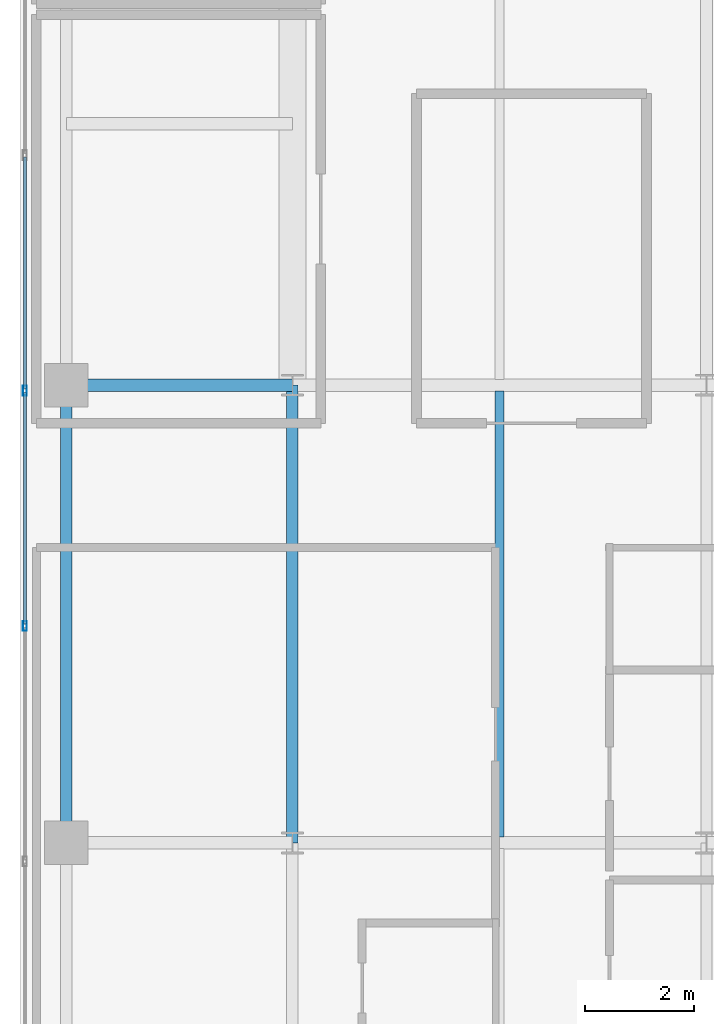
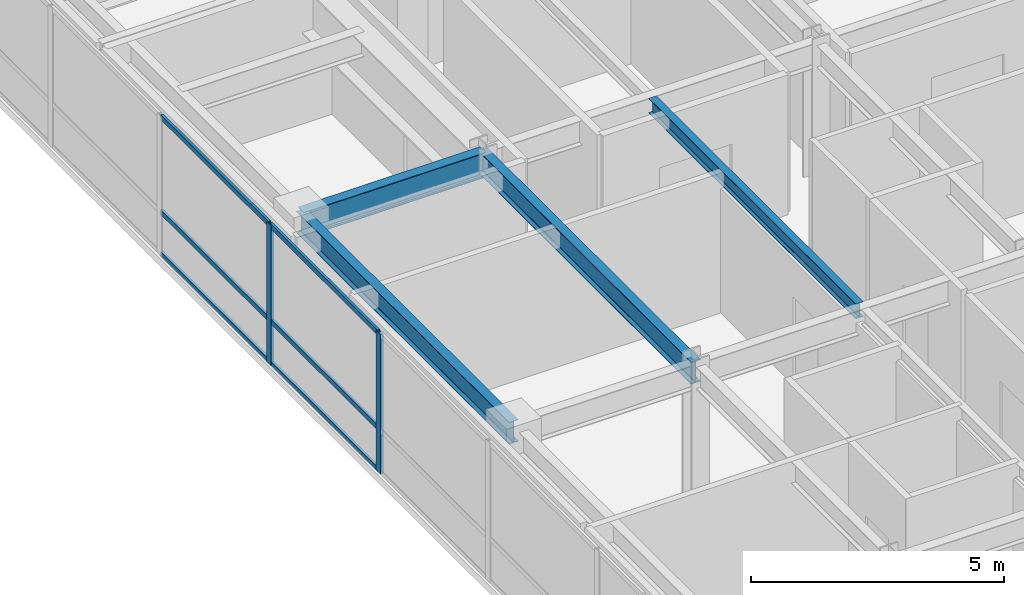
# One storey, part 9 of 28: 8 members, 4 beams, 1 element without a shape of its own.
"""IFC4 building model written with IfcOpenShell, lengths in metres."""

from ifc_helpers import new_model, si_unit, direction, frame, origin, origin_2d, place, context, subcontext, project, spatial, hollow_rectangle, i_section, extrude, source, transform, mapped, material, layer, layer_set, material_profile, profile_set, type_object, type_shapes, element, aggregate, save


model = new_model("IFC4")

# Units and contexts
model_context = context("Model", 3, precision=1e-05, world=origin(), true_north=direction((0.0, 1.0)))
body_context = subcontext(model_context, "Body", "Model", "MODEL_VIEW")
ifc_project = project(units=[si_unit("LENGTHUNIT", "METRE"), si_unit("AREAUNIT", "SQUARE_METRE"), si_unit("VOLUMEUNIT", "CUBIC_METRE"), si_unit("PLANEANGLEUNIT", "RADIAN"), si_unit("MASSUNIT", "GRAM", prefix="KILO")], contexts=[model_context])

# Site, building, storey
site_placement = place(None, origin())
site = spatial("IfcSite", under=ifc_project, at=site_placement, CompositionType="ELEMENT")
building_placement = place(site_placement, origin())
building = spatial("IfcBuilding", under=site, at=building_placement, Name="Tolvann Quenvar Hotel", CompositionType="ELEMENT")
storey_placement = place(building_placement, frame((0.0, 0.0, 198.199951171875)))
storey = spatial("IfcBuildingStorey", under=building, at=storey_placement, Name="L52", CompositionType="ELEMENT", Elevation=198.199951171875)

# Beams
ifc_material_1 = material(Name="Steel Grade 350", Category="steel")
ifc_material_profile_1 = material_profile(ifc_material_1, i_section(OverallWidth=0.208984375, OverallDepth=0.528076171875, WebThickness=0.009521484375, FlangeThickness=0.01318359375, FilletRadius=0.013916015625, at=origin_2d()), Name="530UB82")
ifc_profile_set_1 = profile_set([ifc_material_profile_1], Name="Steel Grade 350")
beam_type_1 = type_object("IfcBeamType", Name="BM_SPAND_530UB82", PredefinedType="SPANDREL", material=ifc_profile_set_1)
shared_shape_1 = source(origin(), body_context, "Body", "SweptSolid", [
    extrude(i_section(OverallWidth=0.208984375, OverallDepth=0.528076171875, WebThickness=0.009521484375, FlangeThickness=0.01318359375, FilletRadius=0.013916015625, at=origin_2d()), origin(), (0.0, 0.0, 1.0), 8.39990234375),
])
type_shapes(beam_type_1, [shared_shape_1])
beam_1_placement = place(storey_placement, frame((3.449951171875, 16.0, 3.10595703125), z_axis=(0.0, 1.0, 0.0), x_axis=(-1.0, 0.0, 0.0)))
element("IfcBeam", 1, at=beam_1_placement, inside=storey, type_object=beam_type_1, Name="BM-L52-NS-B4-B5", PredefinedType="SPANDREL", context=body_context, shape_type="MappedRepresentation", body=[
    mapped(shared_shape_1, transform((0.0, 0.0, 0.0), x_axis=(1.0, 0.0, 0.0), y_axis=(0.0, 1.0, 0.0), z_axis=(0.0, 0.0, 1.0), scale=1.0)),
])
ifc_material_profile_2 = material_profile(ifc_material_1, i_section(OverallWidth=0.208984375, OverallDepth=0.532958984375, WebThickness=0.01025390625, FlangeThickness=0.015625, FilletRadius=0.013916015625, at=origin_2d()), Name="530UB92")
ifc_profile_set_2 = profile_set([ifc_material_profile_2], Name="Steel Grade 350")
beam_type_2 = type_object("IfcBeamType", Name="BM_GIRD_530UB92", PredefinedType="BEAM", material=ifc_profile_set_2)
shared_shape_2 = source(origin(), body_context, "Body", "SweptSolid", [
    extrude(i_section(OverallWidth=0.208984375, OverallDepth=0.532958984375, WebThickness=0.01025390625, FlangeThickness=0.015625, FilletRadius=0.013916015625, at=origin_2d()), origin(), (0.0, 0.0, 1.0), 8.39990234375),
])
type_shapes(beam_type_2, [shared_shape_2])
beam_2_placement = place(storey_placement, frame((7.60009765625, 16.0, 3.103515625), z_axis=(0.0, 1.0, 0.0), x_axis=(-1.0, 0.0, 0.0)))
element("IfcBeam", 2, at=beam_2_placement, inside=storey, type_object=beam_type_2, Name="BM-L52-NS-C4-C5", PredefinedType="BEAM", context=body_context, shape_type="MappedRepresentation", body=[
    mapped(shared_shape_2, transform((0.0, 0.0, 0.0), x_axis=(1.0, 0.0, 0.0), y_axis=(0.0, 1.0, 0.0), z_axis=(0.0, 0.0, 1.0), scale=1.0)),
])
ifc_material_profile_3 = material_profile(ifc_material_1, i_section(OverallWidth=0.22802734375, OverallDepth=0.60205078125, WebThickness=0.010498046875, FlangeThickness=0.014892578125, FilletRadius=0.013916015625, at=origin_2d()), Name="610UB101")
ifc_profile_set_3 = profile_set([ifc_material_profile_3], Name="Steel Grade 350")
beam_type_3 = type_object("IfcBeamType", Name="BM_GIRD_610UB101", PredefinedType="BEAM", material=ifc_profile_set_3)
shared_shape_3 = source(origin(), body_context, "Body", "SweptSolid", [
    extrude(i_section(OverallWidth=0.22802734375, OverallDepth=0.60205078125, WebThickness=0.010498046875, FlangeThickness=0.014892578125, FilletRadius=0.013916015625, at=origin_2d()), origin(), (0.0, 0.0, 1.0), 4.150146484375),
])
type_shapes(beam_type_3, [shared_shape_3])
beam_3_placement = place(storey_placement, frame((3.449951171875, 24.39990234375, 3.069091796875), z_axis=(1.0, 0.0, 0.0), x_axis=(0.0, 1.0, 0.0)))
element("IfcBeam", 3, at=beam_3_placement, inside=storey, type_object=beam_type_3, Name="BM-L52-EW-5-B5-C5", PredefinedType="BEAM", context=body_context, shape_type="MappedRepresentation", body=[
    mapped(shared_shape_3, transform((0.0, 0.0, 0.0), x_axis=(1.0, 0.0, 0.0), y_axis=(0.0, 1.0, 0.0), z_axis=(0.0, 0.0, 1.0), scale=1.0)),
])
ifc_material_profile_4 = material_profile(ifc_material_1, i_section(OverallWidth=0.172119140625, OverallDepth=0.35888671875, WebThickness=0.008056640625, FlangeThickness=0.012939453125, FilletRadius=0.011474609375, at=origin_2d()), Name="360UB57")
ifc_profile_set_4 = profile_set([ifc_material_profile_4], Name="Steel Grade 350")
beam_type_4 = type_object("IfcBeamType", Name="BM_JOIST_360UB57", PredefinedType="JOIST", material=ifc_profile_set_4)
shared_shape_4 = source(origin(), body_context, "Body", "SweptSolid", [
    extrude(i_section(OverallWidth=0.172119140625, OverallDepth=0.35888671875, WebThickness=0.008056640625, FlangeThickness=0.012939453125, FilletRadius=0.011474609375, at=origin_2d()), origin(), (0.0, 0.0, 1.0), 8.18408203125),
])
type_shapes(beam_type_4, [shared_shape_4])
beam_4_placement = place(storey_placement, frame((11.39990234375, 16.10791015625, 3.1904296875), z_axis=(0.0, 1.0, 0.0), x_axis=(-1.0, 0.0, 0.0)))
element("IfcBeam", 4, at=beam_4_placement, inside=storey, type_object=beam_type_4, Name="BJ-L52-114-160", PredefinedType="JOIST", context=body_context, shape_type="MappedRepresentation", body=[
    mapped(shared_shape_4, transform((0.0, 0.0, 0.0), x_axis=(1.0, 0.0, 0.0), y_axis=(0.0, 1.0, 0.0), z_axis=(0.0, 0.0, 1.0), scale=1.0)),
])

# Curtain wall, members
ifc_material_2 = material(Name="Thermally broken anodised architectural aluminium 6063-T6 and laminated low-E glass", Category="aluminium")
ifc_layer = layer(ifc_material_2, 0.179931640625)
ifc_layer_set = layer_set([ifc_layer], Name="Thermally broken anodised architectural aluminium 6063-T6 and laminated low-E glass")
curtain_wall_type = type_object("IfcCurtainWallType", Name="CW_SYS_BAND_04", PredefinedType="USERDEFINED", material=ifc_layer_set)
curtain_wall_placement = place(storey_placement, origin())
curtain_wall = element("IfcCurtainWall", 5, at=curtain_wall_placement, inside=storey, type_object=curtain_wall_type, Name="Curtain Wall CW-BAND-04 (CWR-L52-E23)", ObjectType="UNITISED CURTAIN WALL", PredefinedType="USERDEFINED")
ifc_material_3 = material(Name="Anodised architectural aluminium 6063-T6 framing", Category="aluminium")
ifc_material_profile_5 = material_profile(ifc_material_3, hollow_rectangle(XDim=0.070068359375, YDim=0.179931640625, WallThickness=0.00390625, at=origin_2d()), Name="180x70x4RHS")
ifc_profile_set_5 = profile_set([ifc_material_profile_5], Name="Anodised architectural aluminium 6063-T6 framing")
member_type_1 = type_object("IfcMemberType", Name="CW_MULL_180x70", PredefinedType="MULLION", material=ifc_profile_set_5)
shared_shape_5 = source(origin(), body_context, "Body", "SweptSolid", [
    extrude(hollow_rectangle(XDim=0.070068359375, YDim=0.179931640625, WallThickness=0.00390625, at=origin_2d()), origin(), (0.0, 0.0, 1.0), 3.3701171875),
])
type_shapes(member_type_1, [shared_shape_5])
member_1_placement = place(storey_placement, frame((2.68994140625, 24.300048828125, 0.0), z_axis=(0.0, 0.0, 1.0), x_axis=(1.0, 0.0, 0.0)))
member_1 = element("IfcMember", 6, at=member_1_placement, type_object=member_type_1, Name="CW-BAND-04 mullion 5", PredefinedType="MULLION", context=body_context, shape_type="MappedRepresentation", body=[
    mapped(shared_shape_5, transform((0.0, 0.0, 0.0), x_axis=(1.0, 0.0, 0.0), y_axis=(0.0, 1.0, 0.0), z_axis=(0.0, 0.0, 1.0), scale=1.0)),
])
member_2_placement = place(storey_placement, frame((2.68994140625, 19.979248046875, 0.0), z_axis=(0.0, 0.0, 1.0), x_axis=(1.0, 0.0, 0.0)))
member_2 = element("IfcMember", 7, at=member_2_placement, type_object=member_type_1, Name="CW-BAND-04 mullion 6", PredefinedType="MULLION", context=body_context, shape_type="MappedRepresentation", body=[
    mapped(shared_shape_5, transform((0.0, 0.0, 0.0), x_axis=(1.0, 0.0, 0.0), y_axis=(0.0, 1.0, 0.0), z_axis=(0.0, 0.0, 1.0), scale=1.0)),
])
ifc_material_profile_6 = material_profile(ifc_material_3, hollow_rectangle(XDim=0.06005859375, YDim=0.1201171875, WallThickness=0.00341796875, at=origin_2d()), Name="120x60x3.5RHS")
ifc_profile_set_6 = profile_set([ifc_material_profile_6], Name="Anodised architectural aluminium 6063-T6 framing")
member_type_2 = type_object("IfcMemberType", Name="CW_TRAN_120x60", PredefinedType="USERDEFINED", material=ifc_profile_set_6)
shared_shape_6 = source(origin(), body_context, "Body", "SweptSolid", [
    extrude(hollow_rectangle(XDim=0.06005859375, YDim=0.1201171875, WallThickness=0.00341796875, at=origin_2d()), origin(), (0.0, 0.0, 1.0), 4.250732421875),
])
member_3_placement = place(storey_placement, frame((2.68994140625, 28.585693359375, 0.030029296875), z_axis=(0.0, -1.0, 0.0), x_axis=(1.0, 0.0, 0.0)))
member_3 = element("IfcMember", 8, at=member_3_placement, type_object=member_type_2, Name="CW-BAND-04 transom 4.1", ObjectType="TRANSOM", PredefinedType="USERDEFINED", context=body_context, shape_type="MappedRepresentation", body=[
    mapped(shared_shape_6, transform((0.0, 0.0, 0.0), x_axis=(1.0, 0.0, 0.0), y_axis=(0.0, 1.0, 0.0), z_axis=(0.0, 0.0, 1.0), scale=1.0)),
])
member_4_placement = place(storey_placement, frame((2.68994140625, 28.585693359375, 1.050048828125), z_axis=(0.0, -1.0, 0.0), x_axis=(1.0, 0.0, 0.0)))
member_4 = element("IfcMember", 9, at=member_4_placement, type_object=member_type_2, Name="CW-BAND-04 transom 4.2", ObjectType="TRANSOM", PredefinedType="USERDEFINED", context=body_context, shape_type="MappedRepresentation", body=[
    mapped(shared_shape_6, transform((0.0, 0.0, 0.0), x_axis=(1.0, 0.0, 0.0), y_axis=(0.0, 1.0, 0.0), z_axis=(0.0, 0.0, 1.0), scale=1.0)),
])
member_5_placement = place(storey_placement, frame((2.68994140625, 28.585693359375, 3.340087890625), z_axis=(0.0, -1.0, 0.0), x_axis=(1.0, 0.0, 0.0)))
member_5 = element("IfcMember", 10, at=member_5_placement, type_object=member_type_2, Name="CW-BAND-04 transom 4.3", ObjectType="TRANSOM", PredefinedType="USERDEFINED", context=body_context, shape_type="MappedRepresentation", body=[
    mapped(shared_shape_6, transform((0.0, 0.0, 0.0), x_axis=(1.0, 0.0, 0.0), y_axis=(0.0, 1.0, 0.0), z_axis=(0.0, 0.0, 1.0), scale=1.0)),
])
shared_shape_7 = source(origin(), body_context, "Body", "SweptSolid", [
    extrude(hollow_rectangle(XDim=0.06005859375, YDim=0.1201171875, WallThickness=0.00341796875, at=origin_2d()), origin(), (0.0, 0.0, 1.0), 4.25048828125),
])
type_shapes(member_type_2, [shared_shape_6, shared_shape_7])
member_6_placement = place(storey_placement, frame((2.68994140625, 24.264892578125, 0.030029296875), z_axis=(0.0, -1.0, 0.0), x_axis=(1.0, 0.0, 0.0)))
member_6 = element("IfcMember", 11, at=member_6_placement, type_object=member_type_2, Name="CW-BAND-04 transom 5.1", ObjectType="TRANSOM", PredefinedType="USERDEFINED", context=body_context, shape_type="MappedRepresentation", body=[
    mapped(shared_shape_7, transform((0.0, 0.0, 0.0), x_axis=(1.0, 0.0, 0.0), y_axis=(0.0, 1.0, 0.0), z_axis=(0.0, 0.0, 1.0), scale=1.0)),
])
member_7_placement = place(storey_placement, frame((2.68994140625, 24.264892578125, 1.050048828125), z_axis=(0.0, -1.0, 0.0), x_axis=(1.0, 0.0, 0.0)))
member_7 = element("IfcMember", 12, at=member_7_placement, type_object=member_type_2, Name="CW-BAND-04 transom 5.2", ObjectType="TRANSOM", PredefinedType="USERDEFINED", context=body_context, shape_type="MappedRepresentation", body=[
    mapped(shared_shape_7, transform((0.0, 0.0, 0.0), x_axis=(1.0, 0.0, 0.0), y_axis=(0.0, 1.0, 0.0), z_axis=(0.0, 0.0, 1.0), scale=1.0)),
])
member_8_placement = place(storey_placement, frame((2.68994140625, 24.264892578125, 3.340087890625), z_axis=(0.0, -1.0, 0.0), x_axis=(1.0, 0.0, 0.0)))
member_8 = element("IfcMember", 13, at=member_8_placement, type_object=member_type_2, Name="CW-BAND-04 transom 5.3", ObjectType="TRANSOM", PredefinedType="USERDEFINED", context=body_context, shape_type="MappedRepresentation", body=[
    mapped(shared_shape_7, transform((0.0, 0.0, 0.0), x_axis=(1.0, 0.0, 0.0), y_axis=(0.0, 1.0, 0.0), z_axis=(0.0, 0.0, 1.0), scale=1.0)),
])
aggregate(curtain_wall, [member_1, member_2, member_3, member_4, member_5, member_6, member_7, member_8])

save(model, "model.ifc")
